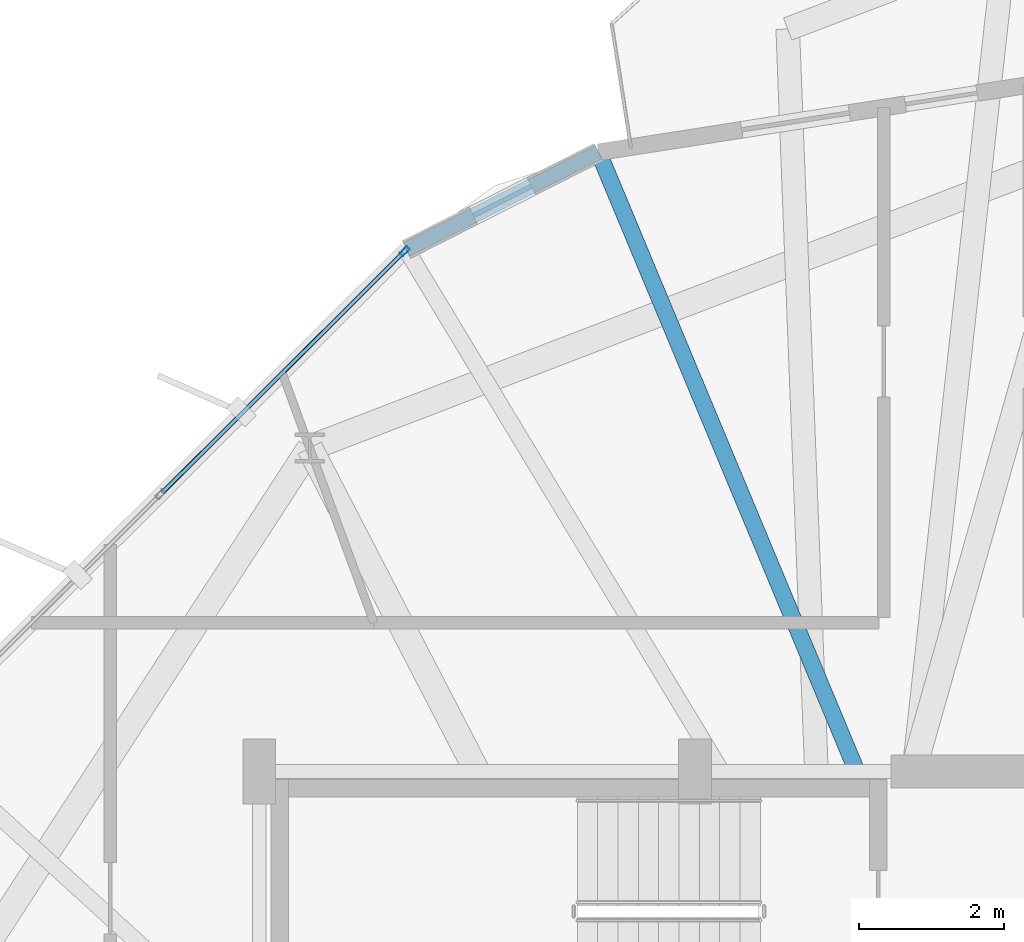
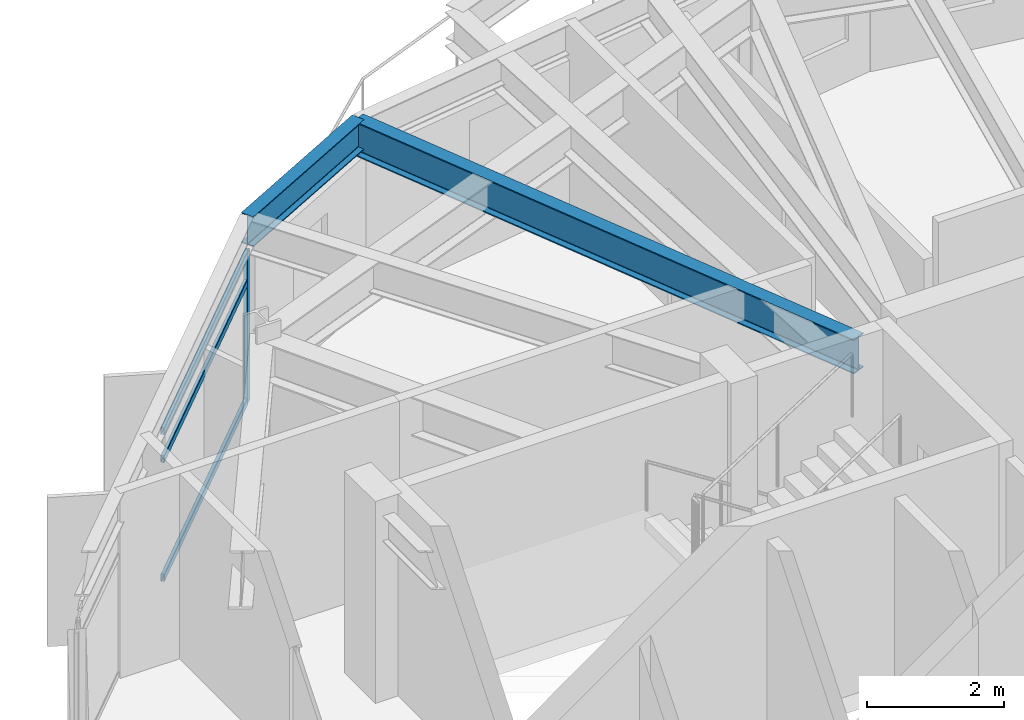
# One storey, part 14 of 27: 4 members, 2 beams, 1 element without a shape of its own.
"""IFC4 building model written with IfcOpenShell, lengths in metres."""

import ifcopenshell
import ifcopenshell.guid

model = None  # the IFC model being written
_history = None  # IfcOwnerHistory: only IFC2X3 demands one
_inside = {}  # id of a spatial element -> (the spatial element, [elements in it])
_under = {}  # id of a project, library or spatial element -> (it, [spatial elements below it])
_declared = {}  # id of a project -> (the project, [libraries it declares])
_typed = {}  # id of a type object -> (the type object, [elements of that type])
_made_of = {}  # id of a material, layer set ... -> (it, [elements and type objects made of it])


def new_model(schema):
    """Start an empty IFC model of exactly this schema.

    Asked for "IFC4X3", IfcOpenShell would pick the latest addendum, in which some entities
    have other attributes; the version numbers below select the first issue.
    IFC2X3 requires an IfcOwnerHistory on every rooted entity: one is made here for all.
    """
    global model, _history
    if schema == "IFC4X3":
        model = ifcopenshell.file(schema_version=(4, 3, 0, 0))
    else:
        model = ifcopenshell.file(schema=schema)
    _inside.clear()
    _under.clear()
    _declared.clear()
    _typed.clear()
    _made_of.clear()
    _history = None
    if model.schema == "IFC2X3":
        org = make("IfcOrganization", Name="unknown")
        user = make(
            "IfcPersonAndOrganization",
            ThePerson=make("IfcPerson", FamilyName="unknown"),
            TheOrganization=org,
        )
        app = make(
            "IfcApplication",
            ApplicationDeveloper=org,
            Version="unknown",
            ApplicationFullName="unknown",
            ApplicationIdentifier="unknown",
        )
        _history = make(
            "IfcOwnerHistory",
            OwningUser=user,
            OwningApplication=app,
            ChangeAction="ADDED",
            CreationDate=0,
        )
    return model


def make(cls, **values):
    """One entity of the class cls with the attributes given. An attribute that is None is left unset."""
    return model.create_entity(
        cls, **{name: value for name, value in values.items() if value is not None}
    )


def rooted(cls, **values):
    """An entity with a GlobalId (a new one), such as an element, a storey or a relation."""
    return make(cls, GlobalId=ifcopenshell.guid.new(), OwnerHistory=_history, **values)


def si_unit(unit_type, name, prefix=None):
    """IfcSIUnit, for example si_unit("LENGTHUNIT", "METRE", prefix="MILLI")."""
    return make("IfcSIUnit", UnitType=unit_type, Prefix=prefix, Name=name)


def assignment(units):
    """IfcUnitAssignment: the units of a project."""
    return None if units is None else make("IfcUnitAssignment", Units=units)


def point(xyz):
    """IfcCartesianPoint."""
    return None if xyz is None else make("IfcCartesianPoint", Coordinates=xyz)


def direction(xyz):
    """IfcDirection."""
    return None if xyz is None else make("IfcDirection", DirectionRatios=xyz)


def frame(location, z_axis=None, x_axis=None):
    """IfcAxis2Placement3D, a coordinate frame: its origin and axes. An axis left out is left unset."""
    return make(
        "IfcAxis2Placement3D",
        Location=point(location),
        Axis=direction(z_axis),
        RefDirection=direction(x_axis),
    )


def frame_2d(location, x_axis=None):
    """IfcAxis2Placement2D, a coordinate frame in the plane: its origin and x axis."""
    return make(
        "IfcAxis2Placement2D", Location=point(location), RefDirection=direction(x_axis)
    )


def origin():
    """The frame at (0, 0, 0) with its axes left unset."""
    return frame((0.0, 0.0, 0.0))


def origin_2d():
    """The frame at (0, 0) in the plane with its x axis left unset."""
    return frame_2d((0.0, 0.0))


def place(relative_to, where):
    """IfcLocalPlacement: puts the frame where relative to a parent placement (None: the world)."""
    return make(
        "IfcLocalPlacement", PlacementRelTo=relative_to, RelativePlacement=where
    )


def context(
    kind, dimensions, precision=None, world=None, true_north=None, identifier=None
):
    """IfcGeometricRepresentationContext, for example the 3D "Model" context."""
    return make(
        "IfcGeometricRepresentationContext",
        ContextIdentifier=identifier,
        ContextType=kind,
        CoordinateSpaceDimension=dimensions,
        Precision=precision,
        WorldCoordinateSystem=world,
        TrueNorth=true_north,
    )


def subcontext(parent, identifier, kind, view, scale=None):
    """IfcGeometricRepresentationSubContext, for example "Body" below "Model"."""
    return make(
        "IfcGeometricRepresentationSubContext",
        ContextIdentifier=identifier,
        ContextType=kind,
        ParentContext=parent,
        TargetScale=scale,
        TargetView=view,
    )


def project(units=None, contexts=None):
    """IfcProject with its units and contexts."""
    return rooted(
        "IfcProject",
        Name="project",
        RepresentationContexts=contexts,
        UnitsInContext=assignment(units),
    )


def spatial(cls, under=None, at=None, **own):
    """A site, building, storey or space (cls), placed at a placement, below another one or the project."""
    s = rooted(cls, ObjectPlacement=at, **own)
    if under is not None:
        _under.setdefault(under.id(), (under, []))[1].append(s)
    return s


def profile(cls, at=None, kind="AREA", **sizes):
    """A parametric profile (cls). Its sizes go by their IFC names, for example OverallWidth=200.0."""
    return make(cls, ProfileType=kind, Position=at, **sizes)


def hollow_rectangle(**sizes):
    """IfcRectangleHollowProfileDef."""
    return profile("IfcRectangleHollowProfileDef", **sizes)


def i_section(**sizes):
    """IfcIShapeProfileDef."""
    return profile("IfcIShapeProfileDef", **sizes)


def extrude(swept, where, along, depth):
    """IfcExtrudedAreaSolid: the profile swept, set in the frame where, extruded along a direction by depth."""
    return make(
        "IfcExtrudedAreaSolid",
        SweptArea=swept,
        Position=where,
        ExtrudedDirection=direction(along),
        Depth=depth,
    )


def shape(context_of_items, identifier, shape_type, items):
    """IfcShapeRepresentation: the items that make up one representation, for example the "Body"."""
    return make(
        "IfcShapeRepresentation",
        ContextOfItems=context_of_items,
        RepresentationIdentifier=identifier,
        RepresentationType=shape_type,
        Items=items,
    )


def material(Name=None, Category=None):
    """IfcMaterial."""
    return make("IfcMaterial", Name=Name, Category=Category)


def layer(
    of_material, thickness, ventilated=None, Name=None, Category=None, Priority=None
):
    """IfcMaterialLayer: one layer of a wall or slab, of a material (None: an air gap)."""
    return make(
        "IfcMaterialLayer",
        Material=of_material,
        LayerThickness=thickness,
        IsVentilated=ventilated,
        Name=Name,
        Category=Category,
        Priority=Priority,
    )


def layer_set(layers, Name=None):
    """IfcMaterialLayerSet."""
    return make("IfcMaterialLayerSet", MaterialLayers=layers, LayerSetName=Name)


def material_profile(
    of_material, cross_section, Name=None, Category=None, Priority=None
):
    """IfcMaterialProfile: a cross section and its material."""
    return make(
        "IfcMaterialProfile",
        Name=Name,
        Material=of_material,
        Profile=cross_section,
        Priority=Priority,
        Category=Category,
    )


def profile_set(profiles, Name=None, composite=None):
    """IfcMaterialProfileSet."""
    return make(
        "IfcMaterialProfileSet",
        Name=Name,
        MaterialProfiles=profiles,
        CompositeProfile=composite,
    )


def made_of(thing, what):
    """Note that an element or type object is made of a material, layer set ...; save() writes the relation."""
    if what is not None:
        _made_of.setdefault(what.id(), (what, []))[1].append(thing)
    return thing


def type_object(cls, material=None, **own):
    """A type object (cls), such as IfcWallType, which elements share."""
    return made_of(rooted(cls, **own), material)


def element(
    cls,
    number,
    at=None,
    inside=None,
    cuts=None,
    type_object=None,
    material=None,
    context=None,
    identifier="Body",
    shape_type=None,
    held_by="IfcProductDefinitionShape",
    body=None,
    shapes=None,
    **own,
):
    """One element of the class cls, such as IfcWall. Its Tag is "e" and its number.

    at: its placement. inside: the storey or other place that contains it. cuts: it is an
    opening in that element (IfcRelVoidsElement). A single representation is given by context,
    identifier, shape_type and body (its items); several are given by shapes. held_by: the class
    of the entity that holds the representations. save() writes the other relations.
    """
    e = rooted(cls, Tag="e%d" % number, ObjectPlacement=at, **own)
    if body is not None:
        shapes = [shape(context, identifier, shape_type, body)]
    if shapes is not None:
        e.Representation = make(held_by, Representations=shapes)
    if inside is not None:
        _inside.setdefault(inside.id(), (inside, []))[1].append(e)
    if cuts is not None:
        rooted(
            "IfcRelVoidsElement", RelatingBuildingElement=cuts, RelatedOpeningElement=e
        )
    if type_object is not None:
        _typed.setdefault(type_object.id(), (type_object, []))[1].append(e)
    return made_of(e, material)


def aggregate(whole, parts):
    """IfcRelAggregates: a whole, such as a stair, and the parts it consists of."""
    return rooted("IfcRelAggregates", RelatingObject=whole, RelatedObjects=parts)


def save(model, path):
    """Write the relations noted so far, then the file.

    IfcRelAggregates (storeys below a building ...), IfcRelContainedInSpatialStructure (elements
    in a storey), IfcRelDefinesByType, IfcRelAssociatesMaterial and IfcRelDeclares: one each for
    every whole, place, type object, material and project.
    """
    for whole, parts in _under.values():
        aggregate(whole, parts)
    for where, things in _inside.values():
        rooted(
            "IfcRelContainedInSpatialStructure",
            RelatedElements=things,
            RelatingStructure=where,
        )
    for kind, things in _typed.values():
        rooted("IfcRelDefinesByType", RelatedObjects=things, RelatingType=kind)
    for what, things in _made_of.values():
        rooted("IfcRelAssociatesMaterial", RelatedObjects=things, RelatingMaterial=what)
    for by, libraries in _declared.values():
        rooted("IfcRelDeclares", RelatingContext=by, RelatedDefinitions=libraries)
    model.write(path)


model = new_model("IFC4")

# Units and contexts
model_context = context("Model", 3, precision=1e-05, world=origin(), true_north=direction((0.0, 1.0)))
body_context = subcontext(model_context, "Body", "Model", "MODEL_VIEW")
ifc_project = project(units=[si_unit("LENGTHUNIT", "METRE"), si_unit("AREAUNIT", "SQUARE_METRE"), si_unit("VOLUMEUNIT", "CUBIC_METRE"), si_unit("PLANEANGLEUNIT", "RADIAN"), si_unit("MASSUNIT", "GRAM", prefix="KILO")], contexts=[model_context])

# Site, building, storey
site_placement = place(None, origin())
site = spatial("IfcSite", under=ifc_project, at=site_placement, CompositionType="ELEMENT")
building_placement = place(site_placement, origin())
building = spatial("IfcBuilding", under=site, at=building_placement, Name="Soratama Intermodal Tower", CompositionType="ELEMENT")
storey_placement = place(building_placement, frame((0.0, 0.0, 197.800048828125)))
storey = spatial("IfcBuildingStorey", under=building, at=storey_placement, Name="L49", CompositionType="ELEMENT", Elevation=197.800048828125)

# Beams
ifc_material_1 = material(Name="Structural steel ASTM A992 Grade 50", Category="steel")
ifc_material_profile_1 = material_profile(ifc_material_1, i_section(OverallWidth=0.2099609375, OverallDepth=0.537109375, WebThickness=0.010986328125, FlangeThickness=0.017333984375, FilletRadius=0.012939453125, at=origin_2d()), Name="W21X68")
ifc_profile_set_1 = profile_set([ifc_material_profile_1], Name="Structural steel ASTM A992 Grade 50")
beam_type_1 = type_object("IfcBeamType", Name="BM-SPN-W21X68", PredefinedType="SPANDREL", material=ifc_profile_set_1)
beam_1_placement = place(storey_placement, frame((37.27099609375, 43.529052734375, 3.031494140625), z_axis=(-0.891845043885, -0.452341041358, 0.0), x_axis=(0.452341041358, -0.891845043885, 0.0)))
element("IfcBeam", 1, at=beam_1_placement, inside=storey, type_object=beam_type_1, Name="BS-L49-CRN02", PredefinedType="SPANDREL", context=body_context, shape_type="SweptSolid", body=[
    extrude(i_section(OverallWidth=0.2099609375, OverallDepth=0.537109375, WebThickness=0.010986328125, FlangeThickness=0.017333984375, FilletRadius=0.012939453125, at=origin_2d()), origin(), (0.0, 0.0, 1.0), 2.966796875),
])
ifc_material_2 = material(Name="Structural steel ASTM A992 Grade 50", Category="steel")
ifc_material_profile_2 = material_profile(ifc_material_2, i_section(OverallWidth=0.22900390625, OverallDepth=0.612060546875, WebThickness=0.011962890625, FlangeThickness=0.01953125, FilletRadius=0.012939453125, at=origin_2d()), Name="W24X84")
ifc_profile_set_2 = profile_set([ifc_material_profile_2], Name="Structural steel ASTM A992 Grade 50")
beam_type_2 = type_object("IfcBeamType", Name="BM-TIE-W24X84", PredefinedType="BEAM", material=ifc_profile_set_2)
beam_2_placement = place(storey_placement, frame((40.81298828125, 35.037109375, 2.993896484375), z_axis=(-0.384956376199, 0.922934769322, 0.0), x_axis=(-0.922934769322, -0.384956376199, 0.0)))
element("IfcBeam", 2, at=beam_2_placement, inside=storey, type_object=beam_type_2, Name="BM-L49-TIE1-02", PredefinedType="BEAM", context=body_context, shape_type="SweptSolid", body=[
    extrude(i_section(OverallWidth=0.22900390625, OverallDepth=0.612060546875, WebThickness=0.011962890625, FlangeThickness=0.01953125, FilletRadius=0.012939453125, at=origin_2d()), origin(), (0.0, 0.0, 1.0), 9.200927734375),
])

# Curtain wall, members
ifc_material_3 = material(Name="Double-glazed aluminium curtain wall", Category="aluminium")
ifc_layer = layer(ifc_material_3, 0.159912109375)
ifc_layer_set = layer_set([ifc_layer], Name="Double-glazed aluminium curtain wall")
curtain_wall_type = type_object("IfcCurtainWallType", Name="CW-SYS-5", PredefinedType="NOTDEFINED", material=ifc_layer_set)
curtain_wall_placement = place(storey_placement, origin())
curtain_wall = element("IfcCurtainWall", 3, at=curtain_wall_placement, inside=storey, type_object=curtain_wall_type, Name="L49 Faceted Curtain Wall F03", PredefinedType="NOTDEFINED")
ifc_material_4 = material(Name="Anodised aluminium AA 6063-T6", Category="aluminium")
ifc_material_profile_3 = material_profile(ifc_material_4, hollow_rectangle(XDim=0.06494140625, YDim=0.139892578125, WallThickness=0.0048828125, InnerFilletRadius=0.0048828125, OuterFilletRadius=0.010009765625, at=origin_2d()), Name="CWM140X65X5")
ifc_profile_set_3 = profile_set([ifc_material_profile_3], Name="Anodised aluminium AA 6063-T6")
member_type_1 = type_object("IfcMemberType", Name="MT-CWM-5", PredefinedType="MULLION", material=ifc_profile_set_3)
member_1_placement = place(storey_placement, frame((34.603759765625, 42.166015625, 0.0), z_axis=(0.0, 0.0, 1.0), x_axis=(0.705623904067, -0.708586555058, 0.0)))
member_1 = element("IfcMember", 4, at=member_1_placement, type_object=member_type_1, Name="CW-5 mullion 1", PredefinedType="MULLION", context=body_context, shape_type="SweptSolid", body=[
    extrude(hollow_rectangle(XDim=0.06494140625, YDim=0.139892578125, WallThickness=0.0048828125, InnerFilletRadius=0.0048828125, OuterFilletRadius=0.010009765625, at=origin_2d()), origin(), (0.0, 0.0, 1.0), 2.678955078125),
])
ifc_material_5 = material(Name="Anodised aluminium AA 6063-T6", Category="aluminium")
ifc_material_profile_4 = material_profile(ifc_material_5, hollow_rectangle(XDim=0.06005859375, YDim=0.1298828125, WallThickness=0.0048828125, InnerFilletRadius=0.0048828125, OuterFilletRadius=0.010009765625, at=origin_2d()), Name="CWT130X60X5")
ifc_profile_set_4 = profile_set([ifc_material_profile_4], Name="Anodised aluminium AA 6063-T6")
member_type_2 = type_object("IfcMemberType", Name="TT-CWT-2", PredefinedType="USERDEFINED", material=ifc_profile_set_4)
member_2_placement = place(storey_placement, frame((34.582275390625, 42.14501953125, 0.030029296875), z_axis=(-0.708564084785, -0.705646467966, 0.0), x_axis=(0.705646467966, -0.708564084785, 0.0)))
member_2 = element("IfcMember", 5, at=member_2_placement, type_object=member_type_2, Name="CW-5 transom 1.1", ObjectType="TRANSOM", PredefinedType="USERDEFINED", context=body_context, shape_type="SweptSolid", body=[
    extrude(hollow_rectangle(XDim=0.06005859375, YDim=0.1298828125, WallThickness=0.0048828125, InnerFilletRadius=0.0048828125, OuterFilletRadius=0.010009765625, at=origin_2d()), origin(), (0.0, 0.0, 1.0), 4.68603515625),
])
member_3_placement = place(storey_placement, frame((34.582275390625, 42.14501953125, 2.14990234375), z_axis=(-0.708564084785, -0.705646467966, 0.0), x_axis=(0.705646467966, -0.708564084785, 0.0)))
member_3 = element("IfcMember", 6, at=member_3_placement, type_object=member_type_2, Name="CW-5 transom 1.2", ObjectType="TRANSOM", PredefinedType="USERDEFINED", context=body_context, shape_type="SweptSolid", body=[
    extrude(hollow_rectangle(XDim=0.06005859375, YDim=0.1298828125, WallThickness=0.0048828125, InnerFilletRadius=0.0048828125, OuterFilletRadius=0.010009765625, at=origin_2d()), origin(), (0.0, 0.0, 1.0), 4.68603515625),
])
member_4_placement = place(storey_placement, frame((34.582275390625, 42.14501953125, 2.64892578125), z_axis=(-0.708564084785, -0.705646467966, 0.0), x_axis=(0.705646467966, -0.708564084785, 0.0)))
member_4 = element("IfcMember", 7, at=member_4_placement, type_object=member_type_2, Name="CW-5 transom 1.3", ObjectType="TRANSOM", PredefinedType="USERDEFINED", context=body_context, shape_type="SweptSolid", body=[
    extrude(hollow_rectangle(XDim=0.06005859375, YDim=0.1298828125, WallThickness=0.0048828125, InnerFilletRadius=0.0048828125, OuterFilletRadius=0.010009765625, at=origin_2d()), origin(), (0.0, 0.0, 1.0), 4.68603515625),
])
aggregate(curtain_wall, [member_1, member_2, member_3, member_4])

save(model, "model.ifc")
